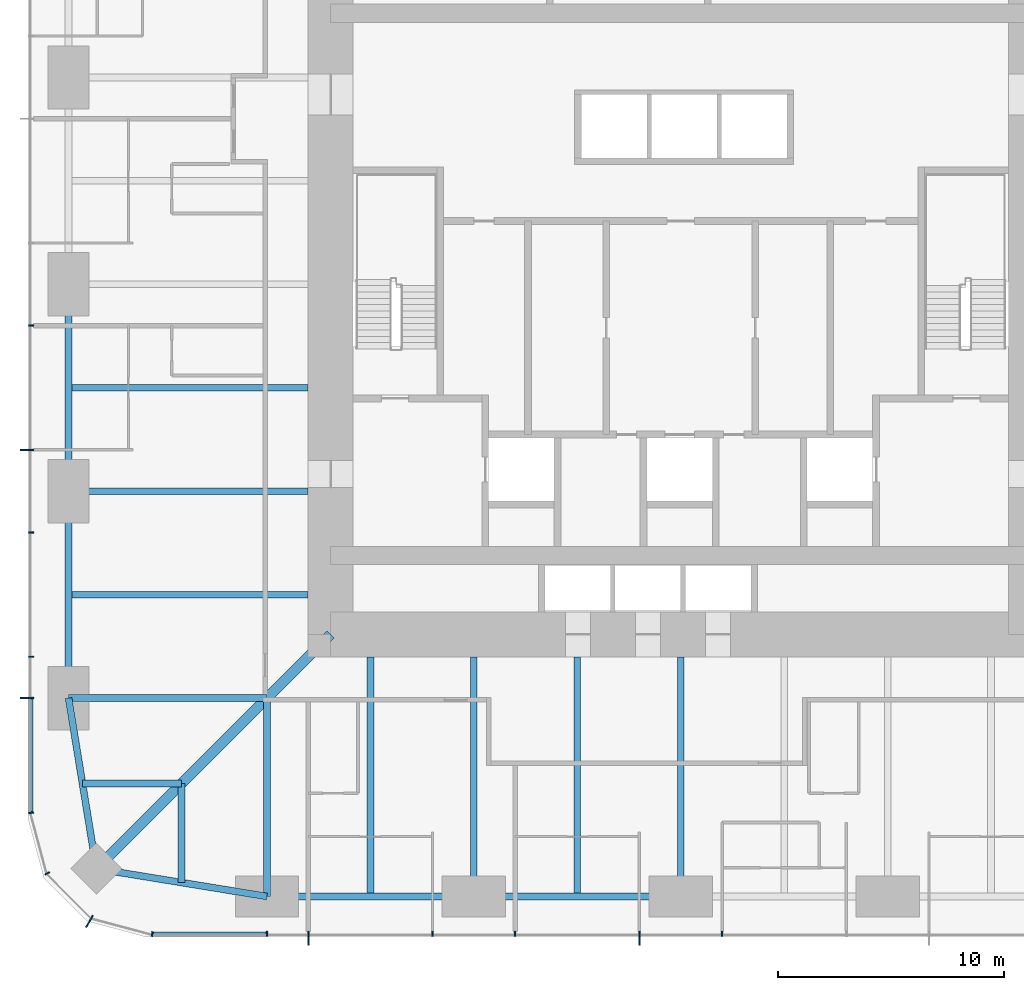
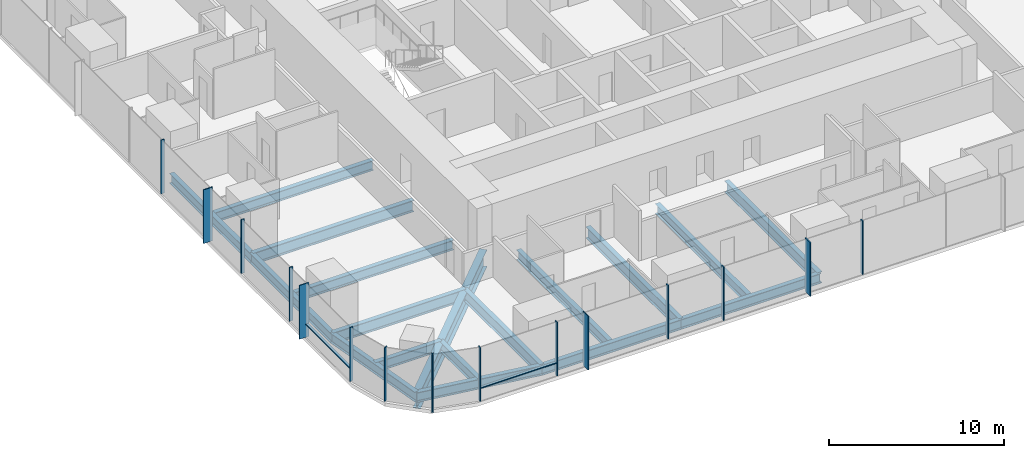
# One storey, part 2 of 13: 18 beams, 17 members, 3 elements without a shape of their own.
"""IFC4 building model written with IfcOpenShell, lengths in metres."""

from ifc_helpers import new_model, si_unit, direction, frame, origin, origin_2d, place, context, subcontext, project, spatial, rectangle, i_section, extrude, material, material_profile, profile_set, type_object, element, aggregate, save


model = new_model("IFC4")

# Units and contexts
model_context = context("Model", 3, precision=1e-05, world=origin(), true_north=direction((0.0, 1.0)))
body_context = subcontext(model_context, "Body", "Model", "MODEL_VIEW")
ifc_project = project(units=[si_unit("LENGTHUNIT", "METRE"), si_unit("AREAUNIT", "SQUARE_METRE"), si_unit("VOLUMEUNIT", "CUBIC_METRE"), si_unit("PLANEANGLEUNIT", "RADIAN"), si_unit("MASSUNIT", "GRAM", prefix="KILO")], contexts=[model_context])

# Site, building, storey
site_placement = place(None, origin())
site = spatial("IfcSite", under=ifc_project, at=site_placement, CompositionType="ELEMENT")
building_placement = place(site_placement, origin())
building = spatial("IfcBuilding", under=site, at=building_placement, Name="Khuree Lantern Residences", CompositionType="ELEMENT")
storey_placement = place(building_placement, frame((0.0, 0.0, 137.25)))
storey = spatial("IfcBuildingStorey", under=building, at=storey_placement, Name="L34", CompositionType="ELEMENT", Elevation=137.25)

# Beams
ifc_material_1 = material(Name="Steel S355", Category="steel")
ifc_material_profile_1 = material_profile(ifc_material_1, i_section(OverallWidth=0.300048828125, OverallDepth=0.68994140625, WebThickness=0.014404296875, FlangeThickness=0.027099609375, FilletRadius=0.027099609375, at=origin_2d()), Name="HE 700 A")
ifc_profile_set_1 = profile_set([ifc_material_profile_1], Name="Steel S355")
beam_type_1 = type_object("IfcBeamType", Name="B-23 SECONDARY BEAM HE 700 A", PredefinedType="BEAM", material=ifc_profile_set_1)
for number, where, z_axis, x_axis, name in (
    (1, (-4.580078125, -27.10009765625, -0.594970703125), (0.0, 1.0, 0.0), (-1.0, 0.0, 0.0), "Secondary beam S4"),
    (2, (-13.739990234375, -27.10009765625, -0.594970703125), (0.0, 1.0, 0.0), (-1.0, 0.0, 0.0), "Secondary beam S5"),
):
    element("IfcBeam", number, at=place(storey_placement, frame(where, z_axis=z_axis, x_axis=x_axis)), inside=storey, type_object=beam_type_1, Name=name, PredefinedType="BEAM", context=body_context, shape_type="SweptSolid", body=[
        extrude(i_section(OverallWidth=0.300048828125, OverallDepth=0.68994140625, WebThickness=0.014404296875, FlangeThickness=0.027099609375, FilletRadius=0.027099609375, at=origin_2d()), origin(), (0.0, 0.0, 1.0), 10.60009765625),
    ])
for number, where, z_axis, x_axis, name in (
    (3, (-22.094970703125, -26.48486328125, -0.594970703125), (0.0, 1.0, 0.0), (-1.0, 0.0, 0.0), "Secondary beam S6"),
    (4, (-26.48486328125, -22.094970703125, -0.594970703125), (1.0, 0.0, 0.0), (0.0, 1.0, 0.0), "Secondary beam W1"),
):
    element("IfcBeam", number, at=place(storey_placement, frame(where, z_axis=z_axis, x_axis=x_axis)), inside=storey, type_object=beam_type_1, Name=name, PredefinedType="BEAM", context=body_context, shape_type="SweptSolid", body=[
        extrude(i_section(OverallWidth=0.300048828125, OverallDepth=0.68994140625, WebThickness=0.014404296875, FlangeThickness=0.027099609375, FilletRadius=0.027099609375, at=origin_2d()), origin(), (0.0, 0.0, 1.0), 4.389892578125),
    ])
for number, where, z_axis, x_axis, name in (
    (5, (-27.10009765625, -13.739990234375, -0.594970703125), (1.0, 0.0, 0.0), (0.0, 1.0, 0.0), "Secondary beam W2"),
    (6, (-27.10009765625, -4.580078125, -0.594970703125), (1.0, 0.0, 0.0), (0.0, 1.0, 0.0), "Secondary beam W3"),
):
    element("IfcBeam", number, at=place(storey_placement, frame(where, z_axis=z_axis, x_axis=x_axis)), inside=storey, type_object=beam_type_1, Name=name, PredefinedType="BEAM", context=body_context, shape_type="SweptSolid", body=[
        extrude(i_section(OverallWidth=0.300048828125, OverallDepth=0.68994140625, WebThickness=0.014404296875, FlangeThickness=0.027099609375, FilletRadius=0.027099609375, at=origin_2d()), origin(), (0.0, 0.0, 1.0), 10.60009765625),
    ])
ifc_material_profile_2 = material_profile(ifc_material_1, i_section(OverallWidth=0.300048828125, OverallDepth=0.68994140625, WebThickness=0.014404296875, FlangeThickness=0.027099609375, FilletRadius=0.027099609375, at=origin_2d()), Name="HE 700 A")
ifc_profile_set_2 = profile_set([ifc_material_profile_2], Name="Steel S355")
beam_type_2 = type_object("IfcBeamType", Name="E-23 SPANDREL BEAM HE 700 A", PredefinedType="SPANDREL", material=ifc_profile_set_2)
beam_1_placement = place(storey_placement, frame((0.0, -27.10009765625, -0.594970703125), z_axis=(-1.0, 0.0, 0.0), x_axis=(0.0, -1.0, 0.0)))
element("IfcBeam", 7, at=beam_1_placement, inside=storey, type_object=beam_type_2, Name="Spandrel beam S4", PredefinedType="SPANDREL", context=body_context, shape_type="SweptSolid", body=[
    extrude(i_section(OverallWidth=0.300048828125, OverallDepth=0.68994140625, WebThickness=0.014404296875, FlangeThickness=0.027099609375, FilletRadius=0.027099609375, at=origin_2d()), origin(), (0.0, 0.0, 1.0), 9.159912109375),
])
beam_2_placement = place(storey_placement, frame((-9.159912109375, -27.10009765625, -0.594970703125), z_axis=(-1.0, 0.0, 0.0), x_axis=(0.0, -1.0, 0.0)))
element("IfcBeam", 8, at=beam_2_placement, inside=storey, type_object=beam_type_2, Name="Spandrel beam S5", PredefinedType="SPANDREL", context=body_context, shape_type="SweptSolid", body=[
    extrude(i_section(OverallWidth=0.300048828125, OverallDepth=0.68994140625, WebThickness=0.014404296875, FlangeThickness=0.027099609375, FilletRadius=0.027099609375, at=origin_2d()), origin(), (0.0, 0.0, 1.0), 9.16015625),
])
for number, where, z_axis, x_axis, name in (
    (9, (-18.320068359375, -27.10009765625, -0.594970703125), (-0.986982656839, 0.160826723833, 0.0), (-0.160826723833, -0.986982656839, 0.0), "Spandrel beam S6"),
    (10, (-25.869873046875, -25.869873046875, -0.594970703125), (-0.160826723833, 0.986982656839, 0.0), (-0.986982656839, -0.160826723833, 0.0), "Spandrel beam W1"),
):
    element("IfcBeam", number, at=place(storey_placement, frame(where, z_axis=z_axis, x_axis=x_axis)), inside=storey, type_object=beam_type_2, Name=name, PredefinedType="SPANDREL", context=body_context, shape_type="SweptSolid", body=[
        extrude(i_section(OverallWidth=0.300048828125, OverallDepth=0.68994140625, WebThickness=0.014404296875, FlangeThickness=0.027099609375, FilletRadius=0.027099609375, at=origin_2d()), origin(), (0.0, 0.0, 1.0), 7.6494140625),
    ])
beam_3_placement = place(storey_placement, frame((-27.10009765625, -18.320068359375, -0.594970703125), z_axis=(0.0, 1.0, 0.0), x_axis=(-1.0, 0.0, 0.0)))
element("IfcBeam", 11, at=beam_3_placement, inside=storey, type_object=beam_type_2, Name="Spandrel beam W2", PredefinedType="SPANDREL", context=body_context, shape_type="SweptSolid", body=[
    extrude(i_section(OverallWidth=0.300048828125, OverallDepth=0.68994140625, WebThickness=0.014404296875, FlangeThickness=0.027099609375, FilletRadius=0.027099609375, at=origin_2d()), origin(), (0.0, 0.0, 1.0), 9.16015625),
])
beam_4_placement = place(storey_placement, frame((-27.10009765625, -9.159912109375, -0.594970703125), z_axis=(0.0, 1.0, 0.0), x_axis=(-1.0, 0.0, 0.0)))
element("IfcBeam", 12, at=beam_4_placement, inside=storey, type_object=beam_type_2, Name="Spandrel beam W3", PredefinedType="SPANDREL", context=body_context, shape_type="SweptSolid", body=[
    extrude(i_section(OverallWidth=0.300048828125, OverallDepth=0.68994140625, WebThickness=0.014404296875, FlangeThickness=0.027099609375, FilletRadius=0.027099609375, at=origin_2d()), origin(), (0.0, 0.0, 1.0), 9.159912109375),
])

# Curtain wall, members
ifc_material_2 = material(Name="Bronze anodised aluminium", Category="aluminium")
curtain_wall_type_1 = type_object("IfcCurtainWallType", Name="CW-T1 TOWER FACE CURTAIN WALL", PredefinedType="USERDEFINED", material=ifc_material_2)
curtain_wall_1_placement = place(storey_placement, origin())
curtain_wall_1 = element("IfcCurtainWall", 13, at=curtain_wall_1_placement, inside=storey, type_object=curtain_wall_type_1, Name="L34 WEST FACE CURTAIN WALL", ObjectType="Stick-built curtain wall", PredefinedType="USERDEFINED")
ifc_material_profile_3 = material_profile(ifc_material_2, rectangle(XDim=0.06494140625, YDim=0.60009765625, at=origin_2d()), Name="F1 65X600")
ifc_profile_set_3 = profile_set([ifc_material_profile_3], Name="Bronze anodised aluminium")
member_type_1 = type_object("IfcMemberType", Name="F1 BRONZE FIN MULLION TOWER 65X600", PredefinedType="MULLION", material=ifc_profile_set_3)
member_1_placement = place(storey_placement, frame((-28.949951171875, -7.327880859375, 0.0), z_axis=(0.0, 0.0, 1.0), x_axis=(0.0, -1.0, 0.0)))
member_1 = element("IfcMember", 14, at=member_1_placement, type_object=member_type_1, Name="L34 WEST FACE FIN MULLION 39", PredefinedType="MULLION", context=body_context, shape_type="SweptSolid", body=[
    extrude(rectangle(XDim=0.06494140625, YDim=0.60009765625, at=origin_2d()), origin(), (0.0, 0.0, 1.0), 3.75),
])
member_2_placement = place(storey_placement, frame((-28.949951171875, -18.320068359375, 0.0), z_axis=(0.0, 0.0, 1.0), x_axis=(0.0, -1.0, 0.0)))
member_2 = element("IfcMember", 15, at=member_2_placement, type_object=member_type_1, Name="L34 WEST FACE FIN MULLION 42", PredefinedType="MULLION", context=body_context, shape_type="SweptSolid", body=[
    extrude(rectangle(XDim=0.06494140625, YDim=0.60009765625, at=origin_2d()), origin(), (0.0, 0.0, 1.0), 3.75),
])

# Curtain wall, member
curtain_wall_type_2 = type_object("IfcCurtainWallType", Name="CW-T2 TOWER CORNER CURTAIN WALL", PredefinedType="USERDEFINED", material=ifc_material_2)
curtain_wall_2_placement = place(storey_placement, origin())
curtain_wall_2 = element("IfcCurtainWall", 16, at=curtain_wall_2_placement, inside=storey, type_object=curtain_wall_type_2, Name="L34 SOUTH-WEST CORNER CURTAIN WALL", ObjectType="Faceted corner curtain wall", PredefinedType="USERDEFINED")
member_3_placement = place(storey_placement, frame((-26.175048828125, -28.20654296875, 0.0), z_axis=(0.0, 0.0, 1.0), x_axis=(0.866025388199, -0.500000026995, 0.0)))
member_3 = element("IfcMember", 17, at=member_3_placement, type_object=member_type_1, Name="L34 SOUTH-WEST CORNER FIN MULLION 45", PredefinedType="MULLION", context=body_context, shape_type="SweptSolid", body=[
    extrude(rectangle(XDim=0.06494140625, YDim=0.60009765625, at=origin_2d()), origin(), (0.0, 0.0, 1.0), 3.75),
])

# Curtain wall, members
curtain_wall_3_placement = place(storey_placement, origin())
curtain_wall_3 = element("IfcCurtainWall", 18, at=curtain_wall_3_placement, inside=storey, type_object=curtain_wall_type_1, Name="L34 SOUTH FACE CURTAIN WALL", ObjectType="Stick-built curtain wall", PredefinedType="USERDEFINED")
member_4_placement = place(storey_placement, frame((-16.488037109375, -28.949951171875, 0.0), z_axis=(0.0, 0.0, 1.0), x_axis=(1.0, 0.0, 0.0)))
member_4 = element("IfcMember", 19, at=member_4_placement, type_object=member_type_1, Name="L34 SOUTH FACE FIN MULLION 48", PredefinedType="MULLION", context=body_context, shape_type="SweptSolid", body=[
    extrude(rectangle(XDim=0.06494140625, YDim=0.60009765625, at=origin_2d()), origin(), (0.0, 0.0, 1.0), 3.75),
])
member_5_placement = place(storey_placement, frame((-1.83203125, -28.949951171875, 0.0), z_axis=(0.0, 0.0, 1.0), x_axis=(1.0, 0.0, 0.0)))
member_5 = element("IfcMember", 20, at=member_5_placement, type_object=member_type_1, Name="L34 SOUTH FACE FIN MULLION 51", PredefinedType="MULLION", context=body_context, shape_type="SweptSolid", body=[
    extrude(rectangle(XDim=0.06494140625, YDim=0.60009765625, at=origin_2d()), origin(), (0.0, 0.0, 1.0), 3.75),
])

# Beams
ifc_material_profile_4 = material_profile(ifc_material_1, i_section(OverallWidth=0.300048828125, OverallDepth=0.800048828125, WebThickness=0.017578125, FlangeThickness=0.032958984375, FilletRadius=0.030029296875, at=origin_2d()), Name="HE 800 B")
ifc_profile_set_4 = profile_set([ifc_material_profile_4], Name="Steel S355")
beam_type_3 = type_object("IfcBeamType", Name="G-23 GIRDER HE 800 B", PredefinedType="BEAM", material=ifc_profile_set_4)
for number, where, z_axis, x_axis, name in (
    (21, (0.0, -27.10009765625, -0.64990234375), (0.0, 1.0, 0.0), (-1.0, 0.0, 0.0), "Girder S3"),
    (22, (-9.159912109375, -27.10009765625, -0.64990234375), (0.0, 1.0, 0.0), (-1.0, 0.0, 0.0), "Girder S4"),
):
    element("IfcBeam", number, at=place(storey_placement, frame(where, z_axis=z_axis, x_axis=x_axis)), inside=storey, type_object=beam_type_3, Name=name, PredefinedType="BEAM", context=body_context, shape_type="SweptSolid", body=[
        extrude(i_section(OverallWidth=0.300048828125, OverallDepth=0.800048828125, WebThickness=0.017578125, FlangeThickness=0.032958984375, FilletRadius=0.030029296875, at=origin_2d()), origin(), (0.0, 0.0, 1.0), 10.60009765625),
    ])
for number, where, z_axis, x_axis, name in (
    (23, (-18.320068359375, -27.10009765625, -0.64990234375), (0.0, 1.0, 0.0), (-1.0, 0.0, 0.0), "Girder S5"),
    (24, (-27.10009765625, -18.320068359375, -0.64990234375), (1.0, 0.0, 0.0), (0.0, 1.0, 0.0), "Girder W1"),
):
    element("IfcBeam", number, at=place(storey_placement, frame(where, z_axis=z_axis, x_axis=x_axis)), inside=storey, type_object=beam_type_3, Name=name, PredefinedType="BEAM", context=body_context, shape_type="SweptSolid", body=[
        extrude(i_section(OverallWidth=0.300048828125, OverallDepth=0.800048828125, WebThickness=0.017578125, FlangeThickness=0.032958984375, FilletRadius=0.030029296875, at=origin_2d()), origin(), (0.0, 0.0, 1.0), 8.780029296875),
    ])
beam_5_placement = place(storey_placement, frame((-27.10009765625, -9.159912109375, -0.64990234375), z_axis=(1.0, 0.0, 0.0), x_axis=(0.0, 1.0, 0.0)))
element("IfcBeam", 25, at=beam_5_placement, inside=storey, type_object=beam_type_3, Name="Girder W2", PredefinedType="BEAM", context=body_context, shape_type="SweptSolid", body=[
    extrude(i_section(OverallWidth=0.300048828125, OverallDepth=0.800048828125, WebThickness=0.017578125, FlangeThickness=0.032958984375, FilletRadius=0.030029296875, at=origin_2d()), origin(), (0.0, 0.0, 1.0), 10.60009765625),
])
ifc_material_profile_5 = material_profile(ifc_material_1, i_section(OverallWidth=0.449951171875, OverallDepth=1.199951171875, WebThickness=0.02490234375, FlangeThickness=0.044921875, at=origin_2d()), Name="WELDED I 1200X450X25X45")
ifc_profile_set_5 = profile_set([ifc_material_profile_5], Name="Steel S355")
beam_type_4 = type_object("IfcBeamType", Name="GD-23 CORNER GIRDER WELDED I 1200X450X25X45", PredefinedType="BEAM", material=ifc_profile_set_5)
beam_6_placement = place(storey_placement, frame((-25.869873046875, -25.869873046875, -0.85009765625), z_axis=(0.707106781187, 0.707106781187, 0.0), x_axis=(-0.707106781187, 0.707106781187, 0.0)))
element("IfcBeam", 26, at=beam_6_placement, inside=storey, type_object=beam_type_4, Name="Corner girder SW", PredefinedType="BEAM", context=body_context, shape_type="SweptSolid", body=[
    extrude(i_section(OverallWidth=0.449951171875, OverallDepth=1.199951171875, WebThickness=0.02490234375, FlangeThickness=0.044921875, at=origin_2d()), origin(), (0.0, 0.0, 1.0), 14.665283203125),
])

# Member
ifc_material_profile_6 = material_profile(ifc_material_2, rectangle(XDim=0.06494140625, YDim=0.219970703125, at=origin_2d()), Name="M1 65X220")
ifc_profile_set_6 = profile_set([ifc_material_profile_6], Name="Bronze anodised aluminium")
member_type_2 = type_object("IfcMemberType", Name="M1 BRONZE MULLION TOWER 65X220", PredefinedType="MULLION", material=ifc_profile_set_6)
member_6_placement = place(storey_placement, frame((-28.760009765625, -1.83203125, 0.0), z_axis=(0.0, 0.0, 1.0), x_axis=(0.0, -1.0, 0.0)))
member_6 = element("IfcMember", 27, at=member_6_placement, type_object=member_type_2, Name="L34 WEST FACE MULLION 38", PredefinedType="MULLION", context=body_context, shape_type="SweptSolid", body=[
    extrude(rectangle(XDim=0.06494140625, YDim=0.219970703125, at=origin_2d()), origin(), (0.0, 0.0, 1.0), 3.75),
])

member_7_placement = place(storey_placement, frame((-28.760009765625, -10.991943359375, 0.0), z_axis=(0.0, 0.0, 1.0), x_axis=(0.0, -1.0, 0.0)))
member_7 = element("IfcMember", 28, at=member_7_placement, type_object=member_type_2, Name="L34 WEST FACE MULLION 40", PredefinedType="MULLION", context=body_context, shape_type="SweptSolid", body=[
    extrude(rectangle(XDim=0.06494140625, YDim=0.219970703125, at=origin_2d()), origin(), (0.0, 0.0, 1.0), 3.75),
])

member_8_placement = place(storey_placement, frame((-28.760009765625, -16.488037109375, 0.0), z_axis=(0.0, 0.0, 1.0), x_axis=(0.0, -1.0, 0.0)))
member_8 = element("IfcMember", 29, at=member_8_placement, type_object=member_type_2, Name="L34 WEST FACE MULLION 41", PredefinedType="MULLION", context=body_context, shape_type="SweptSolid", body=[
    extrude(rectangle(XDim=0.06494140625, YDim=0.219970703125, at=origin_2d()), origin(), (0.0, 0.0, 1.0), 3.75),
])

member_9_placement = place(storey_placement, frame((-28.76171875, -23.39501953125, 0.0), z_axis=(0.0, 0.0, 1.0), x_axis=(0.130526223125, -0.991444857305, 0.0)))
member_9 = element("IfcMember", 30, at=member_9_placement, type_object=member_type_2, Name="L34 SOUTH-WEST CORNER MULLION 43", PredefinedType="MULLION", context=body_context, shape_type="SweptSolid", body=[
    extrude(rectangle(XDim=0.06494140625, YDim=0.219970703125, at=origin_2d()), origin(), (0.0, 0.0, 1.0), 3.75),
])

member_10_placement = place(storey_placement, frame((-28.0419921875, -26.080078125, 0.0), z_axis=(0.0, 0.0, 1.0), x_axis=(0.500000026995, -0.866025388199, 0.0)))
member_10 = element("IfcMember", 31, at=member_10_placement, type_object=member_type_2, Name="L34 SOUTH-WEST CORNER MULLION 44", PredefinedType="MULLION", context=body_context, shape_type="SweptSolid", body=[
    extrude(rectangle(XDim=0.06494140625, YDim=0.219970703125, at=origin_2d()), origin(), (0.0, 0.0, 1.0), 3.75),
])

aggregate(curtain_wall_2, [member_9, member_10, member_3])

member_11_placement = place(storey_placement, frame((-23.39501953125, -28.76171875, 0.0), z_axis=(0.0, 0.0, 1.0), x_axis=(0.991444857305, -0.130526223125, 0.0)))
member_11 = element("IfcMember", 32, at=member_11_placement, type_object=member_type_2, Name="L34 SOUTH FACE MULLION 46", PredefinedType="MULLION", context=body_context, shape_type="SweptSolid", body=[
    extrude(rectangle(XDim=0.06494140625, YDim=0.219970703125, at=origin_2d()), origin(), (0.0, 0.0, 1.0), 3.75),
])

member_12_placement = place(storey_placement, frame((-18.320068359375, -28.760009765625, 0.0), z_axis=(0.0, 0.0, 1.0), x_axis=(1.0, 0.0, 0.0)))
member_12 = element("IfcMember", 33, at=member_12_placement, type_object=member_type_2, Name="L34 SOUTH FACE MULLION 47", PredefinedType="MULLION", context=body_context, shape_type="SweptSolid", body=[
    extrude(rectangle(XDim=0.06494140625, YDim=0.219970703125, at=origin_2d()), origin(), (0.0, 0.0, 1.0), 3.75),
])

member_13_placement = place(storey_placement, frame((-10.991943359375, -28.760009765625, 0.0), z_axis=(0.0, 0.0, 1.0), x_axis=(1.0, 0.0, 0.0)))
member_13 = element("IfcMember", 34, at=member_13_placement, type_object=member_type_2, Name="L34 SOUTH FACE MULLION 49", PredefinedType="MULLION", context=body_context, shape_type="SweptSolid", body=[
    extrude(rectangle(XDim=0.06494140625, YDim=0.219970703125, at=origin_2d()), origin(), (0.0, 0.0, 1.0), 3.75),
])

member_14_placement = place(storey_placement, frame((-7.327880859375, -28.760009765625, 0.0), z_axis=(0.0, 0.0, 1.0), x_axis=(1.0, 0.0, 0.0)))
member_14 = element("IfcMember", 35, at=member_14_placement, type_object=member_type_2, Name="L34 SOUTH FACE MULLION 50", PredefinedType="MULLION", context=body_context, shape_type="SweptSolid", body=[
    extrude(rectangle(XDim=0.06494140625, YDim=0.219970703125, at=origin_2d()), origin(), (0.0, 0.0, 1.0), 3.75),
])

member_15_placement = place(storey_placement, frame((1.83203125, -28.760009765625, 0.0), z_axis=(0.0, 0.0, 1.0), x_axis=(1.0, 0.0, 0.0)))
member_15 = element("IfcMember", 36, at=member_15_placement, type_object=member_type_2, Name="L34 SOUTH FACE MULLION 52", PredefinedType="MULLION", context=body_context, shape_type="SweptSolid", body=[
    extrude(rectangle(XDim=0.06494140625, YDim=0.219970703125, at=origin_2d()), origin(), (0.0, 0.0, 1.0), 3.75),
])

ifc_material_profile_7 = material_profile(ifc_material_2, rectangle(XDim=0.179931640625, YDim=0.06494140625, at=origin_2d()), Name="T1 180X65")
ifc_profile_set_7 = profile_set([ifc_material_profile_7], Name="Bronze anodised aluminium")
member_type_3 = type_object("IfcMemberType", Name="TRANSOM T1 TOWER 180X65", PredefinedType="USERDEFINED", material=ifc_profile_set_7)
member_16_placement = place(storey_placement, frame((-28.77001953125, -18.3525390625, 0.89990234375), z_axis=(0.0, -1.0, 0.0), x_axis=(1.0, 0.0, 0.0)))
member_16 = element("IfcMember", 37, at=member_16_placement, type_object=member_type_3, Name="L34 WEST FACE TRANSOM 42.1", ObjectType="Transom", PredefinedType="USERDEFINED", context=body_context, shape_type="SweptSolid", body=[
    extrude(rectangle(XDim=0.179931640625, YDim=0.06494140625, at=origin_2d()), origin(), (0.0, 0.0, 1.0), 4.998779296875),
])

aggregate(curtain_wall_1, [member_6, member_1, member_7, member_8, member_2, member_16])

member_17_placement = place(storey_placement, frame((-23.351318359375, -28.77001953125, 0.89990234375), z_axis=(1.0, 0.0, 0.0), x_axis=(0.0, 1.0, 0.0)))
member_17 = element("IfcMember", 38, at=member_17_placement, type_object=member_type_3, Name="L34 SOUTH FACE TRANSOM 46.1", ObjectType="Transom", PredefinedType="USERDEFINED", context=body_context, shape_type="SweptSolid", body=[
    extrude(rectangle(XDim=0.179931640625, YDim=0.06494140625, at=origin_2d()), origin(), (0.0, 0.0, 1.0), 4.998779296875),
])

aggregate(curtain_wall_3, [member_11, member_12, member_4, member_13, member_14, member_5, member_15, member_17])

save(model, "model.ifc")
